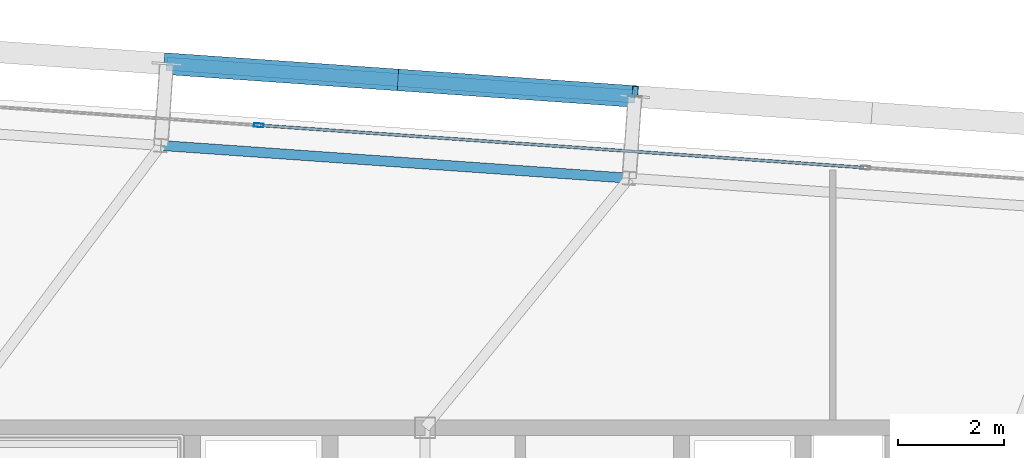
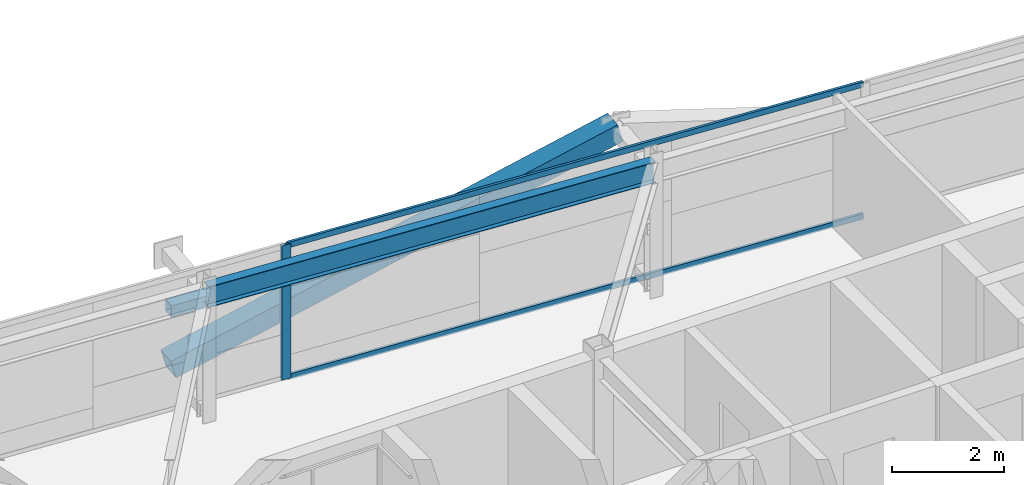
# One storey, part 21 of 39: 6 members, 1 beam, 1 element without a shape of its own.
"""IFC4 building model written with IfcOpenShell, lengths in metres."""

import ifcopenshell
import ifcopenshell.guid

model = None  # the IFC model being written
_history = None  # IfcOwnerHistory: only IFC2X3 demands one
_inside = {}  # id of a spatial element -> (the spatial element, [elements in it])
_under = {}  # id of a project, library or spatial element -> (it, [spatial elements below it])
_declared = {}  # id of a project -> (the project, [libraries it declares])
_typed = {}  # id of a type object -> (the type object, [elements of that type])
_made_of = {}  # id of a material, layer set ... -> (it, [elements and type objects made of it])


def new_model(schema):
    """Start an empty IFC model of exactly this schema.

    Asked for "IFC4X3", IfcOpenShell would pick the latest addendum, in which some entities
    have other attributes; the version numbers below select the first issue.
    IFC2X3 requires an IfcOwnerHistory on every rooted entity: one is made here for all.
    """
    global model, _history
    if schema == "IFC4X3":
        model = ifcopenshell.file(schema_version=(4, 3, 0, 0))
    else:
        model = ifcopenshell.file(schema=schema)
    _inside.clear()
    _under.clear()
    _declared.clear()
    _typed.clear()
    _made_of.clear()
    _history = None
    if model.schema == "IFC2X3":
        org = make("IfcOrganization", Name="unknown")
        user = make(
            "IfcPersonAndOrganization",
            ThePerson=make("IfcPerson", FamilyName="unknown"),
            TheOrganization=org,
        )
        app = make(
            "IfcApplication",
            ApplicationDeveloper=org,
            Version="unknown",
            ApplicationFullName="unknown",
            ApplicationIdentifier="unknown",
        )
        _history = make(
            "IfcOwnerHistory",
            OwningUser=user,
            OwningApplication=app,
            ChangeAction="ADDED",
            CreationDate=0,
        )
    return model


def make(cls, **values):
    """One entity of the class cls with the attributes given. An attribute that is None is left unset."""
    return model.create_entity(
        cls, **{name: value for name, value in values.items() if value is not None}
    )


def rooted(cls, **values):
    """An entity with a GlobalId (a new one), such as an element, a storey or a relation."""
    return make(cls, GlobalId=ifcopenshell.guid.new(), OwnerHistory=_history, **values)


def si_unit(unit_type, name, prefix=None):
    """IfcSIUnit, for example si_unit("LENGTHUNIT", "METRE", prefix="MILLI")."""
    return make("IfcSIUnit", UnitType=unit_type, Prefix=prefix, Name=name)


def assignment(units):
    """IfcUnitAssignment: the units of a project."""
    return None if units is None else make("IfcUnitAssignment", Units=units)


def point(xyz):
    """IfcCartesianPoint."""
    return None if xyz is None else make("IfcCartesianPoint", Coordinates=xyz)


def direction(xyz):
    """IfcDirection."""
    return None if xyz is None else make("IfcDirection", DirectionRatios=xyz)


def frame(location, z_axis=None, x_axis=None):
    """IfcAxis2Placement3D, a coordinate frame: its origin and axes. An axis left out is left unset."""
    return make(
        "IfcAxis2Placement3D",
        Location=point(location),
        Axis=direction(z_axis),
        RefDirection=direction(x_axis),
    )


def frame_2d(location, x_axis=None):
    """IfcAxis2Placement2D, a coordinate frame in the plane: its origin and x axis."""
    return make(
        "IfcAxis2Placement2D", Location=point(location), RefDirection=direction(x_axis)
    )


def origin():
    """The frame at (0, 0, 0) with its axes left unset."""
    return frame((0.0, 0.0, 0.0))


def origin_2d():
    """The frame at (0, 0) in the plane with its x axis left unset."""
    return frame_2d((0.0, 0.0))


def place(relative_to, where):
    """IfcLocalPlacement: puts the frame where relative to a parent placement (None: the world)."""
    return make(
        "IfcLocalPlacement", PlacementRelTo=relative_to, RelativePlacement=where
    )


def context(
    kind, dimensions, precision=None, world=None, true_north=None, identifier=None
):
    """IfcGeometricRepresentationContext, for example the 3D "Model" context."""
    return make(
        "IfcGeometricRepresentationContext",
        ContextIdentifier=identifier,
        ContextType=kind,
        CoordinateSpaceDimension=dimensions,
        Precision=precision,
        WorldCoordinateSystem=world,
        TrueNorth=true_north,
    )


def subcontext(parent, identifier, kind, view, scale=None):
    """IfcGeometricRepresentationSubContext, for example "Body" below "Model"."""
    return make(
        "IfcGeometricRepresentationSubContext",
        ContextIdentifier=identifier,
        ContextType=kind,
        ParentContext=parent,
        TargetScale=scale,
        TargetView=view,
    )


def project(units=None, contexts=None):
    """IfcProject with its units and contexts."""
    return rooted(
        "IfcProject",
        Name="project",
        RepresentationContexts=contexts,
        UnitsInContext=assignment(units),
    )


def spatial(cls, under=None, at=None, **own):
    """A site, building, storey or space (cls), placed at a placement, below another one or the project."""
    s = rooted(cls, ObjectPlacement=at, **own)
    if under is not None:
        _under.setdefault(under.id(), (under, []))[1].append(s)
    return s


def profile(cls, at=None, kind="AREA", **sizes):
    """A parametric profile (cls). Its sizes go by their IFC names, for example OverallWidth=200.0."""
    return make(cls, ProfileType=kind, Position=at, **sizes)


def hollow_rectangle(**sizes):
    """IfcRectangleHollowProfileDef."""
    return profile("IfcRectangleHollowProfileDef", **sizes)


def i_section(**sizes):
    """IfcIShapeProfileDef."""
    return profile("IfcIShapeProfileDef", **sizes)


def extrude(swept, where, along, depth):
    """IfcExtrudedAreaSolid: the profile swept, set in the frame where, extruded along a direction by depth."""
    return make(
        "IfcExtrudedAreaSolid",
        SweptArea=swept,
        Position=where,
        ExtrudedDirection=direction(along),
        Depth=depth,
    )


def shape(context_of_items, identifier, shape_type, items):
    """IfcShapeRepresentation: the items that make up one representation, for example the "Body"."""
    return make(
        "IfcShapeRepresentation",
        ContextOfItems=context_of_items,
        RepresentationIdentifier=identifier,
        RepresentationType=shape_type,
        Items=items,
    )


def source(mapping_origin, context_of_items, identifier, shape_type, items):
    """IfcRepresentationMap: a shape defined once, which mapped items show again and again."""
    return make(
        "IfcRepresentationMap",
        MappingOrigin=mapping_origin,
        MappedRepresentation=shape(context_of_items, identifier, shape_type, items),
    )


def transform(
    local_origin,
    x_axis=None,
    y_axis=None,
    z_axis=None,
    scale=None,
    scale2=None,
    scale3=None,
    uniform=True,
):
    """IfcCartesianTransformationOperator3D, or its non-uniform kind. x_axis, y_axis, z_axis: its Axis1, 2, 3."""
    if uniform:
        return make(
            "IfcCartesianTransformationOperator3D",
            Axis1=direction(x_axis),
            Axis2=direction(y_axis),
            LocalOrigin=point(local_origin),
            Scale=scale,
            Axis3=direction(z_axis),
        )
    return make(
        "IfcCartesianTransformationOperator3DnonUniform",
        Axis1=direction(x_axis),
        Axis2=direction(y_axis),
        LocalOrigin=point(local_origin),
        Scale=scale,
        Axis3=direction(z_axis),
        Scale2=scale2,
        Scale3=scale3,
    )


def mapped(mapping_source, mapping_target):
    """IfcMappedItem: shows the shape of a source again, moved by a transform."""
    return make(
        "IfcMappedItem", MappingSource=mapping_source, MappingTarget=mapping_target
    )


def material(Name=None, Category=None):
    """IfcMaterial."""
    return make("IfcMaterial", Name=Name, Category=Category)


def layer(
    of_material, thickness, ventilated=None, Name=None, Category=None, Priority=None
):
    """IfcMaterialLayer: one layer of a wall or slab, of a material (None: an air gap)."""
    return make(
        "IfcMaterialLayer",
        Material=of_material,
        LayerThickness=thickness,
        IsVentilated=ventilated,
        Name=Name,
        Category=Category,
        Priority=Priority,
    )


def layer_set(layers, Name=None):
    """IfcMaterialLayerSet."""
    return make("IfcMaterialLayerSet", MaterialLayers=layers, LayerSetName=Name)


def material_profile(
    of_material, cross_section, Name=None, Category=None, Priority=None
):
    """IfcMaterialProfile: a cross section and its material."""
    return make(
        "IfcMaterialProfile",
        Name=Name,
        Material=of_material,
        Profile=cross_section,
        Priority=Priority,
        Category=Category,
    )


def profile_set(profiles, Name=None, composite=None):
    """IfcMaterialProfileSet."""
    return make(
        "IfcMaterialProfileSet",
        Name=Name,
        MaterialProfiles=profiles,
        CompositeProfile=composite,
    )


def made_of(thing, what):
    """Note that an element or type object is made of a material, layer set ...; save() writes the relation."""
    if what is not None:
        _made_of.setdefault(what.id(), (what, []))[1].append(thing)
    return thing


def type_object(cls, material=None, **own):
    """A type object (cls), such as IfcWallType, which elements share."""
    return made_of(rooted(cls, **own), material)


def element(
    cls,
    number,
    at=None,
    inside=None,
    cuts=None,
    type_object=None,
    material=None,
    context=None,
    identifier="Body",
    shape_type=None,
    held_by="IfcProductDefinitionShape",
    body=None,
    shapes=None,
    **own,
):
    """One element of the class cls, such as IfcWall. Its Tag is "e" and its number.

    at: its placement. inside: the storey or other place that contains it. cuts: it is an
    opening in that element (IfcRelVoidsElement). A single representation is given by context,
    identifier, shape_type and body (its items); several are given by shapes. held_by: the class
    of the entity that holds the representations. save() writes the other relations.
    """
    e = rooted(cls, Tag="e%d" % number, ObjectPlacement=at, **own)
    if body is not None:
        shapes = [shape(context, identifier, shape_type, body)]
    if shapes is not None:
        e.Representation = make(held_by, Representations=shapes)
    if inside is not None:
        _inside.setdefault(inside.id(), (inside, []))[1].append(e)
    if cuts is not None:
        rooted(
            "IfcRelVoidsElement", RelatingBuildingElement=cuts, RelatedOpeningElement=e
        )
    if type_object is not None:
        _typed.setdefault(type_object.id(), (type_object, []))[1].append(e)
    return made_of(e, material)


def aggregate(whole, parts):
    """IfcRelAggregates: a whole, such as a stair, and the parts it consists of."""
    return rooted("IfcRelAggregates", RelatingObject=whole, RelatedObjects=parts)


def save(model, path):
    """Write the relations noted so far, then the file.

    IfcRelAggregates (storeys below a building ...), IfcRelContainedInSpatialStructure (elements
    in a storey), IfcRelDefinesByType, IfcRelAssociatesMaterial and IfcRelDeclares: one each for
    every whole, place, type object, material and project.
    """
    for whole, parts in _under.values():
        aggregate(whole, parts)
    for where, things in _inside.values():
        rooted(
            "IfcRelContainedInSpatialStructure",
            RelatedElements=things,
            RelatingStructure=where,
        )
    for kind, things in _typed.values():
        rooted("IfcRelDefinesByType", RelatedObjects=things, RelatingType=kind)
    for what, things in _made_of.values():
        rooted("IfcRelAssociatesMaterial", RelatedObjects=things, RelatingMaterial=what)
    for by, libraries in _declared.values():
        rooted("IfcRelDeclares", RelatingContext=by, RelatedDefinitions=libraries)
    model.write(path)


model = new_model("IFC4")

# Units and contexts
model_context = context("Model", 3, precision=1e-05, world=origin(), true_north=direction((0.0, 1.0)))
body_context = subcontext(model_context, "Body", "Model", "MODEL_VIEW")
ifc_project = project(units=[si_unit("LENGTHUNIT", "METRE"), si_unit("AREAUNIT", "SQUARE_METRE"), si_unit("VOLUMEUNIT", "CUBIC_METRE"), si_unit("PLANEANGLEUNIT", "RADIAN"), si_unit("MASSUNIT", "GRAM", prefix="KILO")], contexts=[model_context])

# Site, building, storey
site_placement = place(None, origin())
site = spatial("IfcSite", under=ifc_project, at=site_placement, CompositionType="ELEMENT")
building_placement = place(site_placement, origin())
building = spatial("IfcBuilding", under=site, at=building_placement, Name="Taldren Reach Tower", CompositionType="ELEMENT")
storey_placement = place(building_placement, frame((0.0, 0.0, 123.550048828125)))
storey = spatial("IfcBuildingStorey", under=building, at=storey_placement, Name="L37", CompositionType="ELEMENT", Elevation=123.550048828125)

# Beam
ifc_material_1 = material(Name="Steel Gr 350 (350PLUS)", Category="steel")
ifc_material_profile_1 = material_profile(ifc_material_1, i_section(OverallWidth=0.18994140625, OverallDepth=0.4541015625, WebThickness=0.008544921875, FlangeThickness=0.0126953125, at=origin_2d()), Name="460UB67.1")
ifc_profile_set_1 = profile_set([ifc_material_profile_1], Name="Steel Gr 350 (350PLUS)")
beam_type = type_object("IfcBeamType", Name="SP-UB460B", PredefinedType="SPANDREL", material=ifc_profile_set_1)
shared_shape_1 = source(origin(), body_context, "Body", "SweptSolid", [
    extrude(i_section(OverallWidth=0.18994140625, OverallDepth=0.4541015625, WebThickness=0.008544921875, FlangeThickness=0.0126953125, at=origin_2d()), origin(), (0.0, 0.0, 1.0), 8.880126953125),
])
beam_placement = place(storey_placement, frame((31.861328125, 36.719970703125, 2.702880859375), z_axis=(-0.997564479639, 0.069750333063, 0.0), x_axis=(-0.069750333063, -0.997564479639, 0.0)))
element("IfcBeam", 1, at=beam_placement, inside=storey, type_object=beam_type, Name="Perimeter spandrel B3 N3-N2 L37", PredefinedType="SPANDREL", context=body_context, shape_type="MappedRepresentation", body=[
    mapped(shared_shape_1, transform((0.0, 0.0, 0.0), scale=1.0)),
])

# Members
ifc_material_2 = material(Name="Steel Gr 350 (C350L0)", Category="steel")
ifc_material_profile_2 = material_profile(ifc_material_2, hollow_rectangle(XDim=0.25, YDim=0.25, WallThickness=0.010009765625, at=origin_2d()), Name="250x250x10.0SHS")
ifc_profile_set_2 = profile_set([ifc_material_profile_2], Name="Steel Gr 350 (C350L0)")
member_type_1 = type_object("IfcMemberType", Name="MB-POST250", PredefinedType="POST", material=ifc_profile_set_2)
shared_shape_2 = source(origin(), body_context, "Body", "SweptSolid", [
    extrude(hollow_rectangle(XDim=0.25, YDim=0.25, WallThickness=0.010009765625, at=origin_2d()), origin(), (0.0, 0.0, 1.0), 8.880126953125),
])
member_1_placement = place(storey_placement, frame((23.111083984375, 38.885498046875, 1.43505859375), z_axis=(0.997564479639, -0.069750333063, 0.0), x_axis=(0.069750333063, 0.997564479639, 0.0)))
element("IfcMember", 2, at=member_1_placement, inside=storey, type_object=member_type_1, Name="Exoskeleton mid-height ring chord B3-N2 L37", PredefinedType="POST", context=body_context, shape_type="MappedRepresentation", body=[
    mapped(shared_shape_2, transform((0.0, 0.0, 0.0), scale=1.0)),
])
ifc_material_3 = material(Name="Steel Gr 450 (C450L0)", Category="steel")
ifc_material_profile_3 = material_profile(ifc_material_3, hollow_rectangle(XDim=0.409912109375, YDim=0.409912109375, WallThickness=0.01611328125, at=origin_2d()), Name="410x410x16.0SHS")
ifc_profile_set_3 = profile_set([ifc_material_profile_3], Name="Steel Gr 450 (C450L0)")
member_type_2 = type_object("IfcMemberType", Name="MB-EXO406", PredefinedType="BRACE", material=ifc_profile_set_3)
shared_shape_3 = source(origin(), body_context, "Body", "SweptSolid", [
    extrude(hollow_rectangle(XDim=0.409912109375, YDim=0.409912109375, WallThickness=0.01611328125, at=origin_2d()), origin(), (0.0, 0.0, 1.0), 4.603271484375),
])
for number, where, z_axis, x_axis, name in (
    (3, (23.111083984375, 38.885498046875, 0.219970703125), (0.962185784239, -0.067250114343, 0.263962002434), (0.069722973508, 0.997566392259, 0.0), "Exoskeleton Diagrid Brace B3-N2 L37"),
    (4, (27.540283203125, 38.575927734375, 1.43505859375), (0.962195820062, -0.067303852699, 0.263911718699), (0.06977769246, 0.997562566276, 0.0), "Exoskeleton Diagrid Brace B3-N2 L37"),
):
    element("IfcMember", number, at=place(storey_placement, frame(where, z_axis=z_axis, x_axis=x_axis)), inside=storey, type_object=member_type_2, Name=name, PredefinedType="BRACE", context=body_context, shape_type="MappedRepresentation", body=[
        mapped(shared_shape_3, transform((0.0, 0.0, 0.0), scale=1.0)),
    ])

# Curtain wall, members
ifc_material_4 = material(Name="Aluminium and Low-E Glass Unitised System", Category="aluminium")
ifc_layer = layer(ifc_material_4, 0.159912109375)
ifc_layer_set = layer_set([ifc_layer], Name="Aluminium and Low-E Glass Unitised System")
curtain_wall_type = type_object("IfcCurtainWallType", Name="CW-SYS-4", PredefinedType="NOTDEFINED", material=ifc_layer_set)
curtain_wall_placement = place(storey_placement, origin())
curtain_wall = element("IfcCurtainWall", 5, at=curtain_wall_placement, inside=storey, type_object=curtain_wall_type, Name="Unitised curtain wall CW-L37-N", PredefinedType="NOTDEFINED")
ifc_material_5 = material(Name="Anodised Aluminium 6063-T6", Category="aluminium")
ifc_material_profile_4 = material_profile(ifc_material_5, hollow_rectangle(XDim=0.054931640625, YDim=0.1201171875, WallThickness=0.0029296875, at=origin_2d()), Name="ALU-120x55x3RHS")
ifc_profile_set_4 = profile_set([ifc_material_profile_4], Name="Anodised Aluminium 6063-T6")
member_type_3 = type_object("IfcMemberType", Name="CW-TRN-135", PredefinedType="USERDEFINED", material=ifc_profile_set_4)
shared_shape_4 = source(origin(), body_context, "Body", "SweptSolid", [
    extrude(hollow_rectangle(XDim=0.054931640625, YDim=0.1201171875, WallThickness=0.0029296875, at=origin_2d()), origin(), (0.0, 0.0, 1.0), 11.43017578125),
])
member_2_placement = place(storey_placement, frame((36.291259765625, 36.92138671875, 0.02734375), z_axis=(-0.997563844883, 0.069759410701, 0.0), x_axis=(-0.069759410701, -0.997563844883, 0.0)))
member_2 = element("IfcMember", 6, at=member_2_placement, type_object=member_type_3, Name="CW-4 transom 3.1", ObjectType="TRANSOM", PredefinedType="USERDEFINED", context=body_context, shape_type="MappedRepresentation", body=[
    mapped(shared_shape_4, transform((0.0, 0.0, 0.0), scale=1.0)),
])
member_3_placement = place(storey_placement, frame((36.291259765625, 36.92138671875, 2.90234375), z_axis=(-0.997563844883, 0.069759410701, 0.0), x_axis=(-0.069759410701, -0.997563844883, 0.0)))
member_3 = element("IfcMember", 7, at=member_3_placement, type_object=member_type_3, Name="CW-4 transom 3.2", ObjectType="TRANSOM", PredefinedType="USERDEFINED", context=body_context, shape_type="MappedRepresentation", body=[
    mapped(shared_shape_4, transform((0.0, 0.0, 0.0), scale=1.0)),
])
ifc_material_profile_5 = material_profile(ifc_material_5, hollow_rectangle(XDim=0.070068359375, YDim=0.179931640625, WallThickness=0.00390625, at=origin_2d()), Name="ALU-180x70x4RHS")
ifc_profile_set_5 = profile_set([ifc_material_profile_5], Name="Anodised Aluminium 6063-T6")
member_type_4 = type_object("IfcMemberType", Name="CW-MUL-180", PredefinedType="MULLION", material=ifc_profile_set_5)
shared_shape_5 = source(origin(), body_context, "Body", "SweptSolid", [
    extrude(hollow_rectangle(XDim=0.070068359375, YDim=0.179931640625, WallThickness=0.00390625, at=origin_2d()), origin(), (0.0, 0.0, 1.0), 2.929931640625),
])
member_4_placement = place(storey_placement, frame((24.85400390625, 37.72119140625, 0.0), z_axis=(0.0, 0.0, 1.0), x_axis=(-0.06975651593, -0.99756404731, 0.0)))
member_4 = element("IfcMember", 8, at=member_4_placement, type_object=member_type_4, Name="CW-4 mullion 4", PredefinedType="MULLION", context=body_context, shape_type="MappedRepresentation", body=[
    mapped(shared_shape_5, transform((0.0, 0.0, 0.0), scale=1.0)),
])
aggregate(curtain_wall, [member_4, member_2, member_3])

save(model, "model.ifc")
